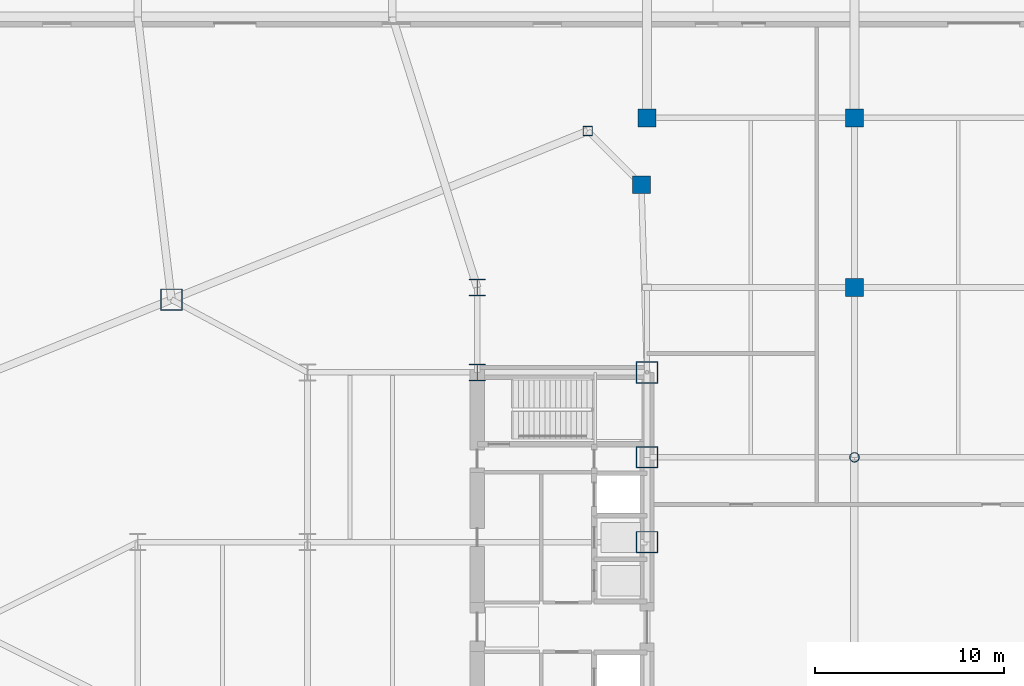
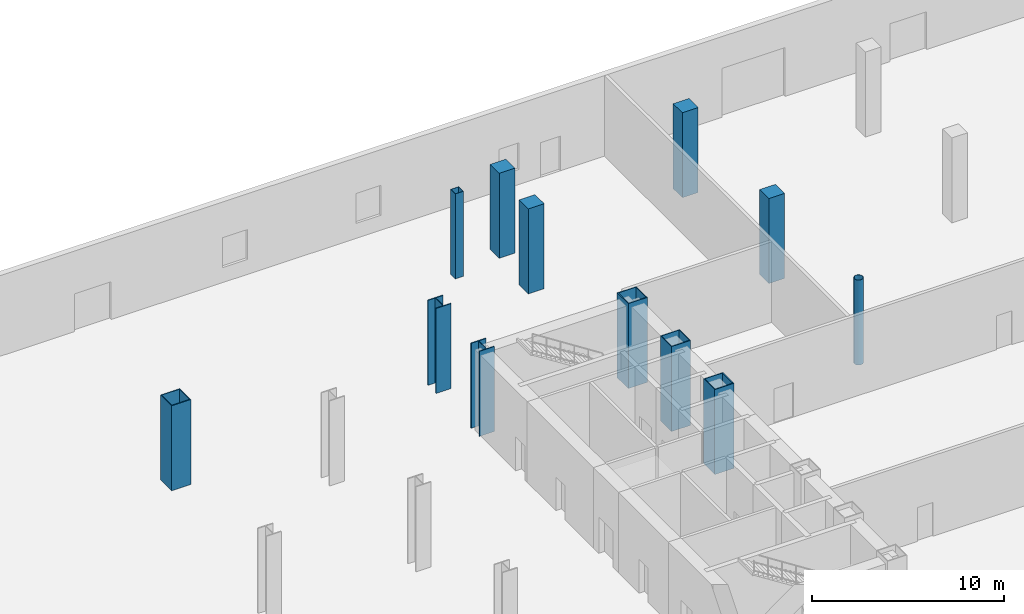
# One storey, part 3 of 21: 12 columns.
"""IFC4 building model written with IfcOpenShell, lengths in metres."""

from ifc_helpers import new_model, si_unit, direction, frame, origin, origin_2d, place, context, subcontext, project, spatial, rectangle, hollow_rectangle, hollow_circle, i_section, extrude, source, transform, mapped, material, material_profile, profile_set, type_object, type_shapes, element, save


model = new_model("IFC4")

# Units and contexts
model_context = context("Model", 3, precision=1e-05, world=origin(), true_north=direction((0.0, 1.0)))
body_context = subcontext(model_context, "Body", "Model", "MODEL_VIEW")
ifc_project = project(units=[si_unit("LENGTHUNIT", "METRE"), si_unit("AREAUNIT", "SQUARE_METRE"), si_unit("VOLUMEUNIT", "CUBIC_METRE"), si_unit("PLANEANGLEUNIT", "RADIAN"), si_unit("MASSUNIT", "GRAM", prefix="KILO")], contexts=[model_context])

# Site, building, storey
site_placement = place(None, origin())
site = spatial("IfcSite", under=ifc_project, at=site_placement, CompositionType="ELEMENT")
building_placement = place(site_placement, origin())
building = spatial("IfcBuilding", under=site, at=building_placement, Name="Seokmaru Belvedere", CompositionType="ELEMENT")
storey_placement = place(building_placement, origin())
storey = spatial("IfcBuildingStorey", under=building, at=storey_placement, Name="L00", CompositionType="ELEMENT", Elevation=0.0)

# Columns
ifc_material_1 = material(Name="Steel HSA650 (650 MPa)", Category="steel")
ifc_material_profile_1 = material_profile(ifc_material_1, hollow_rectangle(XDim=1.14990234375, YDim=1.14990234375, WallThickness=0.048095703125, at=origin_2d()), Name="BOX-1150x1150x48")
ifc_profile_set_1 = profile_set([ifc_material_profile_1], Name="Steel HSA650 (650 MPa)")
column_type_1 = type_object("IfcColumnType", Name="Portal Spine Column BOX-1150", PredefinedType="COLUMN", material=ifc_profile_set_1)
shared_shape_1 = source(origin(), body_context, "Body", "SweptSolid", [
    extrude(hollow_rectangle(XDim=1.14990234375, YDim=1.14990234375, WallThickness=0.048095703125, at=origin_2d()), origin(), (0.0, 0.0, 1.0), 5.39990234375),
])
type_shapes(column_type_1, [shared_shape_1])
for number, where, z_axis, x_axis, name in (
    (1, (-27.5, 4.5, 0.0), (0.0, 0.0, 1.0), (1.0, 0.0, 0.0), "L00 Column WS4"),
    (2, (-27.5, 9.0, 0.0), (0.0, 0.0, 1.0), (1.0, 0.0, 0.0), "L00 Column WS5"),
    (3, (-27.5, 13.5, 0.0), (0.0, 0.0, 1.0), (1.0, 0.0, 0.0), "L00 Column WS6"),
    (4, (-52.715576171875, 17.360595703125, 0.0), (0.0, 0.0, 1.0), (1.0, 0.0, 0.0), "L00 Column WFLK_N2"),
):
    element("IfcColumn", number, at=place(storey_placement, frame(where, z_axis=z_axis, x_axis=x_axis)), inside=storey, type_object=column_type_1, Name=name, PredefinedType="COLUMN", context=body_context, shape_type="MappedRepresentation", body=[
        mapped(shared_shape_1, transform((0.0, 0.0, 0.0), scale=1.0)),
    ])
ifc_material_2 = material(Name="Concrete C50 (50 MPa)", Category="concrete")
ifc_material_profile_2 = material_profile(ifc_material_2, rectangle(XDim=0.949951171875, YDim=0.949951171875, at=origin_2d()), Name="RC-950x950")
ifc_profile_set_2 = profile_set([ifc_material_profile_2], Name="Concrete C50 (50 MPa)")
column_type_2 = type_object("IfcColumnType", Name="Podium Substructure Column RC-950", PredefinedType="COLUMN", material=ifc_profile_set_2)
shared_shape_2 = source(origin(), body_context, "Body", "SweptSolid", [
    extrude(rectangle(XDim=0.949951171875, YDim=0.949951171875, at=origin_2d()), origin(), (0.0, 0.0, 1.0), 5.39990234375),
])
type_shapes(column_type_2, [shared_shape_2])
for number, where, z_axis, x_axis, name in (
    (5, (-27.5, 27.0, 0.0), (0.0, 0.0, 1.0), (1.0, 0.0, 0.0), "L00 Column WPS2"),
    (6, (-27.800048828125, 23.451416015625, 0.0), (0.0, 0.0, 1.0), (1.0, 0.0, 0.0), "L00 Column WPM_N"),
    (7, (-16.5, 18.0, 0.0), (0.0, 0.0, 1.0), (1.0, 0.0, 0.0), "L00 Column CP1_5"),
    (8, (-16.5, 27.0, 0.0), (0.0, 0.0, 1.0), (1.0, 0.0, 0.0), "L00 Column CP1_6"),
):
    element("IfcColumn", number, at=place(storey_placement, frame(where, z_axis=z_axis, x_axis=x_axis)), inside=storey, type_object=column_type_2, Name=name, PredefinedType="COLUMN", context=body_context, shape_type="MappedRepresentation", body=[
        mapped(shared_shape_2, transform((0.0, 0.0, 0.0), scale=1.0)),
    ])
ifc_material_profile_3 = material_profile(ifc_material_1, i_section(OverallWidth=0.89990234375, OverallDepth=0.89990234375, WebThickness=0.035888671875, FlangeThickness=0.054931640625, at=origin_2d()), Name="H-900x900x36x55")
ifc_profile_set_3 = profile_set([ifc_material_profile_3], Name="Steel HSA650 (650 MPa)")
column_type_3 = type_object("IfcColumnType", Name="Lower Interior Column H-900", PredefinedType="COLUMN", material=ifc_profile_set_3)
shared_shape_3 = source(origin(), body_context, "Body", "SweptSolid", [
    extrude(i_section(OverallWidth=0.89990234375, OverallDepth=0.89990234375, WebThickness=0.035888671875, FlangeThickness=0.054931640625, at=origin_2d()), origin(), (0.0, 0.0, 1.0), 5.39990234375),
])
type_shapes(column_type_3, [shared_shape_3])
for number, where, z_axis, x_axis, name in (
    (9, (-36.5, 13.5, 0.0), (0.0, 0.0, 1.0), (1.0, 0.0, 0.0), "L00 Column WC3"),
    (10, (-36.5, 18.0, 0.0), (0.0, 0.0, 1.0), (1.0, 0.0, 0.0), "L00 Column WC4"),
):
    element("IfcColumn", number, at=place(storey_placement, frame(where, z_axis=z_axis, x_axis=x_axis)), inside=storey, type_object=column_type_3, Name=name, PredefinedType="COLUMN", context=body_context, shape_type="MappedRepresentation", body=[
        mapped(shared_shape_3, transform((0.0, 0.0, 0.0), scale=1.0)),
    ])
ifc_material_3 = material(Name="Steel SM355 (355 MPa)", Category="steel")
ifc_material_profile_4 = material_profile(ifc_material_3, hollow_rectangle(XDim=0.5, YDim=0.5, WallThickness=0.02001953125, at=origin_2d()), Name="HSS-500x500x20")
ifc_profile_set_4 = profile_set([ifc_material_profile_4], Name="Steel SM355 (355 MPa)")
column_type_4 = type_object("IfcColumnType", Name="Perimeter Facet Column HSS-500", PredefinedType="COLUMN", material=ifc_profile_set_4)
shared_shape_4 = source(origin(), body_context, "Body", "SweptSolid", [
    extrude(hollow_rectangle(XDim=0.5, YDim=0.5, WallThickness=0.02001953125, at=origin_2d()), origin(), (0.0, 0.0, 1.0), 5.39990234375),
])
type_shapes(column_type_4, [shared_shape_4])
column_1_placement = place(storey_placement, frame((-30.643310546875, 26.294677734375, 0.0), z_axis=(0.0, 0.0, 1.0), x_axis=(1.0, 0.0, 0.0)))
element("IfcColumn", 11, at=column_1_placement, inside=storey, type_object=column_type_4, Name="L00 Column WF3", PredefinedType="COLUMN", context=body_context, shape_type="MappedRepresentation", body=[
    mapped(shared_shape_4, transform((0.0, 0.0, 0.0), scale=1.0)),
])
ifc_material_profile_5 = material_profile(ifc_material_3, hollow_circle(Radius=0.25390625, WallThickness=0.01904296875, at=origin_2d()), Name="CHS-508.0x19.0")
ifc_profile_set_5 = profile_set([ifc_material_profile_5], Name="Steel SM355 (355 MPa)")
column_type_5 = type_object("IfcColumnType", Name="Concourse Feature Column CHS-508", PredefinedType="COLUMN", material=ifc_profile_set_5)
shared_shape_5 = source(origin(), body_context, "Body", "SweptSolid", [
    extrude(hollow_circle(Radius=0.25390625, WallThickness=0.01904296875, at=origin_2d()), origin(), (0.0, 0.0, 1.0), 5.39990234375),
])
type_shapes(column_type_5, [shared_shape_5])
column_2_placement = place(storey_placement, frame((-16.5, 9.0, 0.0), z_axis=(0.0, 0.0, 1.0), x_axis=(1.0, 0.0, 0.0)))
element("IfcColumn", 12, at=column_2_placement, inside=storey, type_object=column_type_5, Name="L00 Column CP1_4", PredefinedType="COLUMN", context=body_context, shape_type="MappedRepresentation", body=[
    mapped(shared_shape_5, transform((0.0, 0.0, 0.0), scale=1.0)),
])

save(model, "model.ifc")
